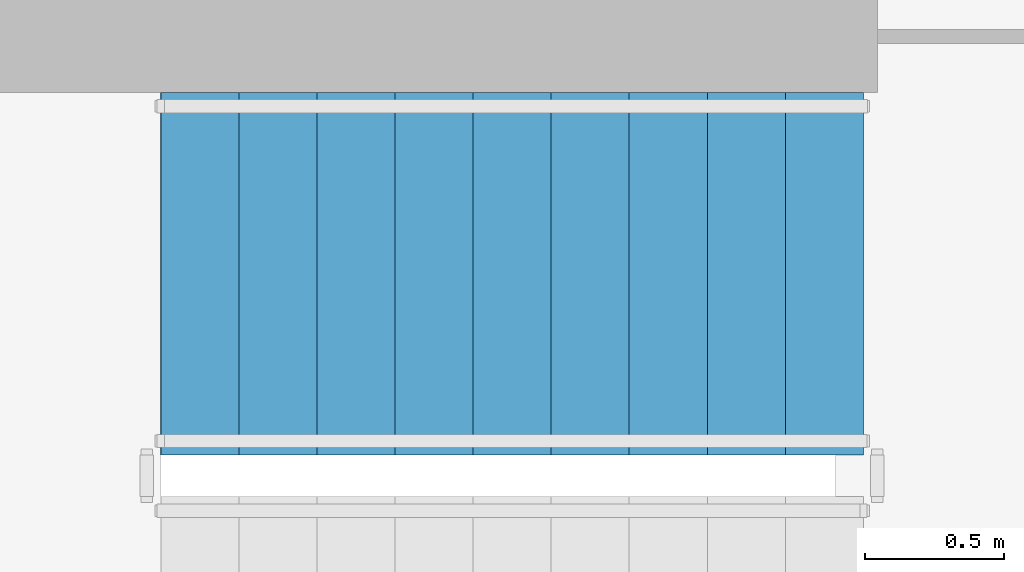
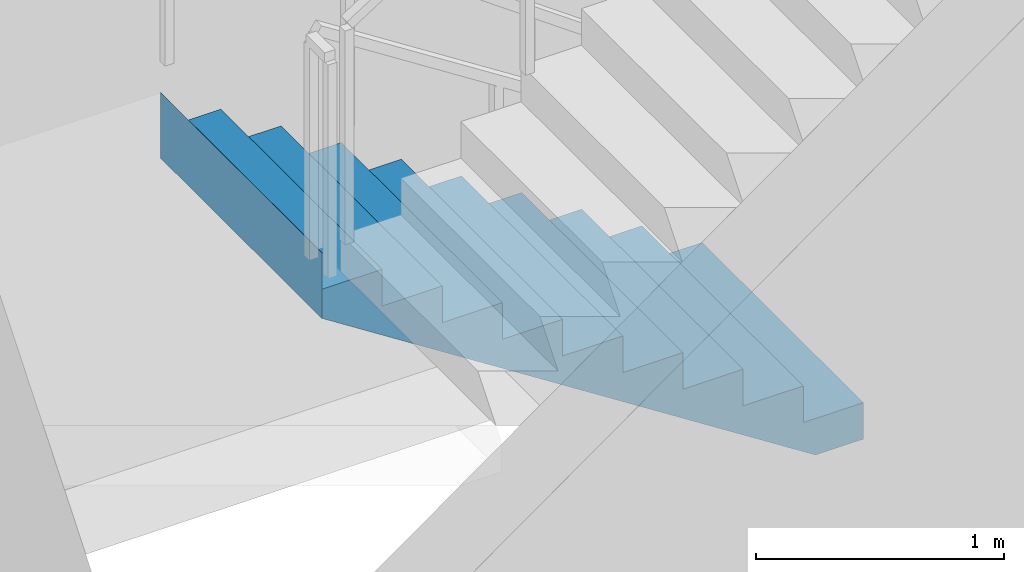
# One storey, part 18 of 22: 1 stair flight, 1 element without a shape of its own.
"""IFC4 building model written with IfcOpenShell, lengths in metres."""

from ifc_helpers import new_model, si_unit, direction, frame, origin, place, context, subcontext, project, spatial, triangles, material, type_object, element, aggregate, save


model = new_model("IFC4")

# Units and contexts
model_context = context("Model", 3, precision=1e-05, world=origin(), true_north=direction((0.0, 1.0)))
body_context = subcontext(model_context, "Body", "Model", "MODEL_VIEW")
ifc_project = project(units=[si_unit("LENGTHUNIT", "METRE"), si_unit("AREAUNIT", "SQUARE_METRE"), si_unit("VOLUMEUNIT", "CUBIC_METRE"), si_unit("PLANEANGLEUNIT", "RADIAN"), si_unit("MASSUNIT", "GRAM", prefix="KILO")], contexts=[model_context])

# Site, building, storey
site_placement = place(None, origin())
site = spatial("IfcSite", under=ifc_project, at=site_placement, CompositionType="ELEMENT")
building_placement = place(site_placement, origin())
building = spatial("IfcBuilding", under=site, at=building_placement, Name="Beryl Residences", CompositionType="ELEMENT")
storey_placement = place(building_placement, frame((0.0, 0.0, 12.60009765625)))
storey = spatial("IfcBuildingStorey", under=building, at=storey_placement, Name="L03", CompositionType="ELEMENT", Elevation=12.60009765625)

# Stair, stair flight
ifc_material_1 = material(Name="Concrete C40/50", Category="concrete")
stair_type = type_object("IfcStairType", Name="ST1 protected exit stair, half-turn, 1300 mm flights", PredefinedType="HALF_TURN_STAIR", material=ifc_material_1)
stair_placement = place(storey_placement, origin())
stair = element("IfcStair", 1, at=stair_placement, inside=storey, type_object=stair_type, Name="L03 PROTECTED EXIT STAIR ST-3", PredefinedType="HALF_TURN_STAIR")
ifc_material_2 = material(Name="Concrete C40/50", Category="concrete")
stair_flight_type = type_object("IfcStairFlightType", Name="SF1 stair flight 1300 mm", PredefinedType="STRAIGHT", material=ifc_material_2)
stair_flight_placement = place(storey_placement, frame((10.800048828125, -15.5, 0.0), z_axis=(0.0, 0.0, 1.0), x_axis=(-1.0, 0.0, 0.0)))
stair_flight = element("IfcStairFlight", 2, at=stair_flight_placement, type_object=stair_flight_type, Name="ST-3 flight 1", NumberOfRisers=10, NumberOfTreads=9, PredefinedType="STRAIGHT", RiserHeight=0.18, TreadLength=0.28, context=body_context, shape_type="Tessellation", body=[
    triangles([(0.0, -0.64990234375, 0.0), (0.0, -0.324951171875, 0.0), (0.0, 0.0, 0.0), (0.0, 0.324951171875, 0.0), (0.0, 0.64990234375, 0.0), (0.0, -0.64990234375, 0.179931640625), (0.0, -0.324951171875, 0.179931640625), (0.0, 0.0, 0.179931640625), (0.0, 0.324951171875, 0.179931640625), (0.0, 0.64990234375, 0.179931640625), (0.280029296875, -0.64990234375, 0.179931640625), (0.280029296875, -0.324951171875, 0.179931640625), (0.280029296875, 0.0, 0.179931640625), (0.280029296875, 0.324951171875, 0.179931640625), (0.280029296875, 0.64990234375, 0.179931640625), (0.280029296875, -0.64990234375, 0.360107421875), (0.280029296875, -0.324951171875, 0.360107421875), (0.280029296875, 0.0, 0.360107421875), (0.280029296875, 0.324951171875, 0.360107421875), (0.280029296875, 0.64990234375, 0.360107421875), (0.56005859375, -0.64990234375, 0.360107421875), (0.56005859375, -0.324951171875, 0.360107421875), (0.56005859375, 0.0, 0.360107421875), (0.56005859375, 0.324951171875, 0.360107421875), (0.56005859375, 0.64990234375, 0.360107421875), (0.56005859375, -0.64990234375, 0.5400390625), (0.56005859375, -0.324951171875, 0.5400390625), (0.56005859375, 0.0, 0.5400390625), (0.56005859375, 0.324951171875, 0.5400390625), (0.56005859375, 0.64990234375, 0.5400390625), (0.840087890625, -0.64990234375, 0.5400390625), (0.840087890625, -0.324951171875, 0.5400390625), (0.840087890625, 0.0, 0.5400390625), (0.840087890625, 0.324951171875, 0.5400390625), (0.840087890625, 0.64990234375, 0.5400390625), (0.840087890625, -0.64990234375, 0.719970703125), (0.840087890625, -0.324951171875, 0.719970703125), (0.840087890625, 0.0, 0.719970703125), (0.840087890625, 0.324951171875, 0.719970703125), (0.840087890625, 0.64990234375, 0.719970703125), (1.1201171875, -0.64990234375, 0.719970703125), (1.1201171875, -0.324951171875, 0.719970703125), (1.1201171875, 0.0, 0.719970703125), (1.1201171875, 0.324951171875, 0.719970703125), (1.1201171875, 0.64990234375, 0.719970703125), (1.1201171875, -0.64990234375, 0.89990234375), (1.1201171875, -0.324951171875, 0.89990234375), (1.1201171875, 0.0, 0.89990234375), (1.1201171875, 0.324951171875, 0.89990234375), (1.1201171875, 0.64990234375, 0.89990234375), (1.39990234375, -0.64990234375, 0.89990234375), (1.39990234375, -0.324951171875, 0.89990234375), (1.39990234375, 0.0, 0.89990234375), (1.39990234375, 0.324951171875, 0.89990234375), (1.39990234375, 0.64990234375, 0.89990234375), (1.39990234375, -0.64990234375, 1.080078125), (1.39990234375, -0.324951171875, 1.080078125), (1.39990234375, 0.0, 1.080078125), (1.39990234375, 0.324951171875, 1.080078125), (1.39990234375, 0.64990234375, 1.080078125), (1.679931640625, -0.64990234375, 1.080078125), (1.679931640625, -0.324951171875, 1.080078125), (1.679931640625, 0.0, 1.080078125), (1.679931640625, 0.324951171875, 1.080078125), (1.679931640625, 0.64990234375, 1.080078125), (1.679931640625, -0.64990234375, 1.260009765625), (1.679931640625, -0.324951171875, 1.260009765625), (1.679931640625, 0.0, 1.260009765625), (1.679931640625, 0.324951171875, 1.260009765625), (1.679931640625, 0.64990234375, 1.260009765625), (1.9599609375, -0.64990234375, 1.260009765625), (1.9599609375, -0.324951171875, 1.260009765625), (1.9599609375, 0.0, 1.260009765625), (1.9599609375, 0.324951171875, 1.260009765625), (1.9599609375, 0.64990234375, 1.260009765625), (1.9599609375, -0.64990234375, 1.43994140625), (1.9599609375, -0.324951171875, 1.43994140625), (1.9599609375, 0.0, 1.43994140625), (1.9599609375, 0.324951171875, 1.43994140625), (1.9599609375, 0.64990234375, 1.43994140625), (2.239990234375, -0.64990234375, 1.43994140625), (2.239990234375, -0.324951171875, 1.43994140625), (2.239990234375, 0.0, 1.43994140625), (2.239990234375, 0.324951171875, 1.43994140625), (2.239990234375, 0.64990234375, 1.43994140625), (2.239990234375, -0.64990234375, 1.6201171875), (2.239990234375, -0.324951171875, 1.6201171875), (2.239990234375, 0.0, 1.6201171875), (2.239990234375, 0.324951171875, 1.6201171875), (2.239990234375, 0.64990234375, 1.6201171875), (2.52001953125, -0.64990234375, 1.6201171875), (2.52001953125, -0.324951171875, 1.6201171875), (2.52001953125, 0.0, 1.6201171875), (2.52001953125, 0.324951171875, 1.6201171875), (2.52001953125, 0.64990234375, 1.6201171875), (2.52001953125, -0.64990234375, 1.800048828125), (2.52001953125, -0.324951171875, 1.800048828125), (2.52001953125, 0.0, 1.800048828125), (2.52001953125, 0.324951171875, 1.800048828125), (2.52001953125, 0.64990234375, 1.800048828125), (2.52099609375, -0.64990234375, 1.800048828125), (2.52099609375, -0.324951171875, 1.800048828125), (2.52099609375, 0.0, 1.800048828125), (2.52099609375, 0.324951171875, 1.800048828125), (2.52099609375, 0.64990234375, 1.800048828125), (2.52099609375, -0.64990234375, 1.477294921875), (2.52099609375, -0.324951171875, 1.477294921875), (2.52099609375, 0.0, 1.477294921875), (2.52099609375, 0.324951171875, 1.477294921875), (2.52099609375, 0.64990234375, 1.477294921875), (0.22314453125, -0.64990234375, 0.0), (0.22314453125, -0.324951171875, 0.0), (0.22314453125, 0.0, 0.0), (0.22314453125, 0.324951171875, 0.0), (0.22314453125, 0.64990234375, 0.0)], [[1, 6, 7], [1, 7, 2], [2, 7, 8], [2, 8, 3], [3, 8, 9], [3, 9, 4], [4, 9, 10], [4, 10, 5], [6, 11, 12], [6, 12, 7], [7, 12, 13], [7, 13, 8], [8, 13, 14], [8, 14, 9], [9, 14, 15], [9, 15, 10], [11, 16, 17], [11, 17, 12], [12, 17, 18], [12, 18, 13], [13, 18, 19], [13, 19, 14], [14, 19, 20], [14, 20, 15], [16, 21, 22], [16, 22, 17], [17, 22, 23], [17, 23, 18], [18, 23, 24], [18, 24, 19], [19, 24, 25], [19, 25, 20], [21, 26, 27], [21, 27, 22], [22, 27, 28], [22, 28, 23], [23, 28, 29], [23, 29, 24], [24, 29, 30], [24, 30, 25], [26, 31, 32], [26, 32, 27], [27, 32, 33], [27, 33, 28], [28, 33, 34], [28, 34, 29], [29, 34, 35], [29, 35, 30], [31, 36, 37], [31, 37, 32], [32, 37, 38], [32, 38, 33], [33, 38, 39], [33, 39, 34], [34, 39, 40], [34, 40, 35], [36, 41, 42], [36, 42, 37], [37, 42, 43], [37, 43, 38], [38, 43, 44], [38, 44, 39], [39, 44, 45], [39, 45, 40], [41, 46, 47], [41, 47, 42], [42, 47, 48], [42, 48, 43], [43, 48, 49], [43, 49, 44], [44, 49, 50], [44, 50, 45], [46, 51, 52], [46, 52, 47], [47, 52, 53], [47, 53, 48], [48, 53, 54], [48, 54, 49], [49, 54, 55], [49, 55, 50], [51, 56, 57], [51, 57, 52], [52, 57, 58], [52, 58, 53], [53, 58, 59], [53, 59, 54], [54, 59, 60], [54, 60, 55], [56, 61, 62], [56, 62, 57], [57, 62, 63], [57, 63, 58], [58, 63, 64], [58, 64, 59], [59, 64, 65], [59, 65, 60], [61, 66, 67], [61, 67, 62], [62, 67, 68], [62, 68, 63], [63, 68, 69], [63, 69, 64], [64, 69, 70], [64, 70, 65], [66, 71, 72], [66, 72, 67], [67, 72, 73], [67, 73, 68], [68, 73, 74], [68, 74, 69], [69, 74, 75], [69, 75, 70], [71, 76, 77], [71, 77, 72], [72, 77, 78], [72, 78, 73], [73, 78, 79], [73, 79, 74], [74, 79, 80], [74, 80, 75], [76, 81, 82], [76, 82, 77], [77, 82, 83], [77, 83, 78], [78, 83, 84], [78, 84, 79], [79, 84, 85], [79, 85, 80], [81, 86, 87], [81, 87, 82], [82, 87, 88], [82, 88, 83], [83, 88, 89], [83, 89, 84], [84, 89, 90], [84, 90, 85], [86, 91, 92], [86, 92, 87], [87, 92, 93], [87, 93, 88], [88, 93, 94], [88, 94, 89], [89, 94, 95], [89, 95, 90], [91, 96, 97], [91, 97, 92], [92, 97, 98], [92, 98, 93], [93, 98, 99], [93, 99, 94], [94, 99, 100], [94, 100, 95], [96, 101, 102], [96, 102, 97], [97, 102, 103], [97, 103, 98], [98, 103, 104], [98, 104, 99], [99, 104, 105], [99, 105, 100], [101, 106, 107], [101, 107, 102], [102, 107, 108], [102, 108, 103], [103, 108, 109], [103, 109, 104], [104, 109, 110], [104, 110, 105], [106, 111, 112], [106, 112, 107], [107, 112, 113], [107, 113, 108], [108, 113, 114], [108, 114, 109], [109, 114, 115], [109, 115, 110], [111, 1, 2], [111, 2, 112], [112, 2, 3], [112, 3, 113], [113, 3, 4], [113, 4, 114], [114, 4, 5], [114, 5, 115], [1, 111, 106], [5, 110, 115], [106, 101, 96], [110, 100, 105], [106, 96, 91], [110, 95, 100], [106, 91, 86], [110, 90, 95], [106, 86, 81], [110, 85, 90], [81, 76, 71], [85, 75, 80], [106, 81, 71], [110, 75, 85], [71, 66, 61], [75, 65, 70], [106, 71, 61], [110, 65, 75], [61, 56, 51], [65, 55, 60], [106, 61, 51], [110, 55, 65], [51, 46, 41], [55, 45, 50], [106, 51, 41], [110, 45, 55], [41, 36, 31], [45, 35, 40], [106, 41, 31], [110, 35, 45], [31, 26, 21], [35, 25, 30], [106, 31, 21], [110, 25, 35], [21, 16, 11], [25, 15, 20], [106, 21, 11], [110, 15, 25], [1, 106, 11], [5, 15, 110], [11, 6, 1], [15, 5, 10]], closed=True),
])
aggregate(stair, [stair_flight])

save(model, "model.ifc")
